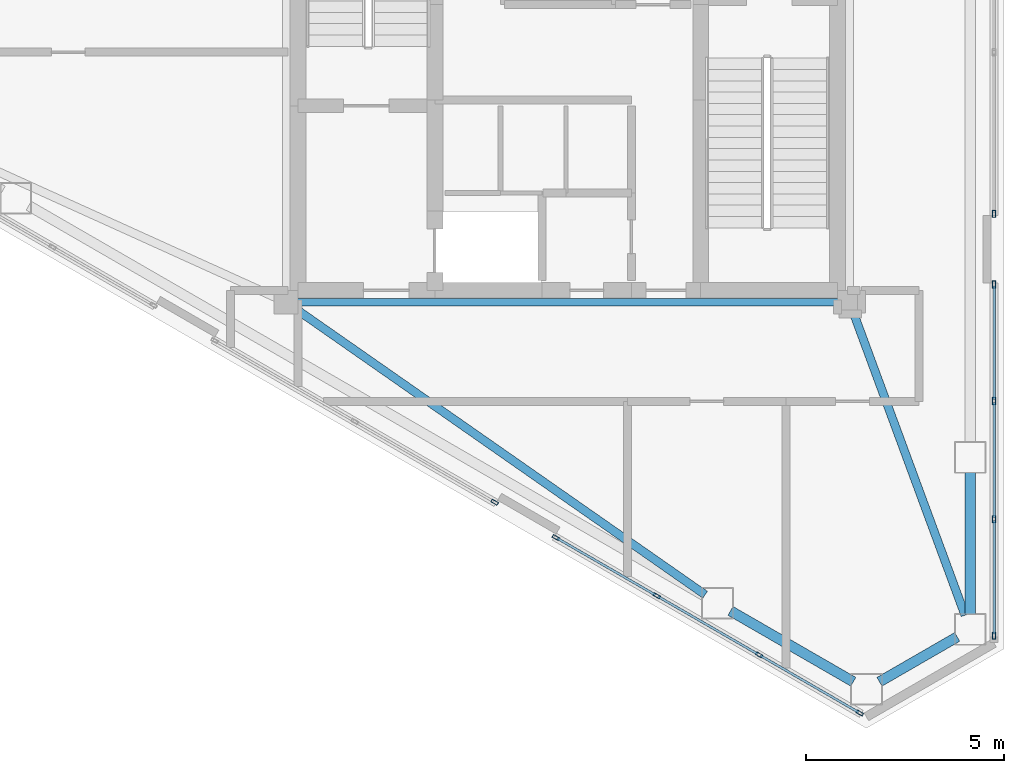
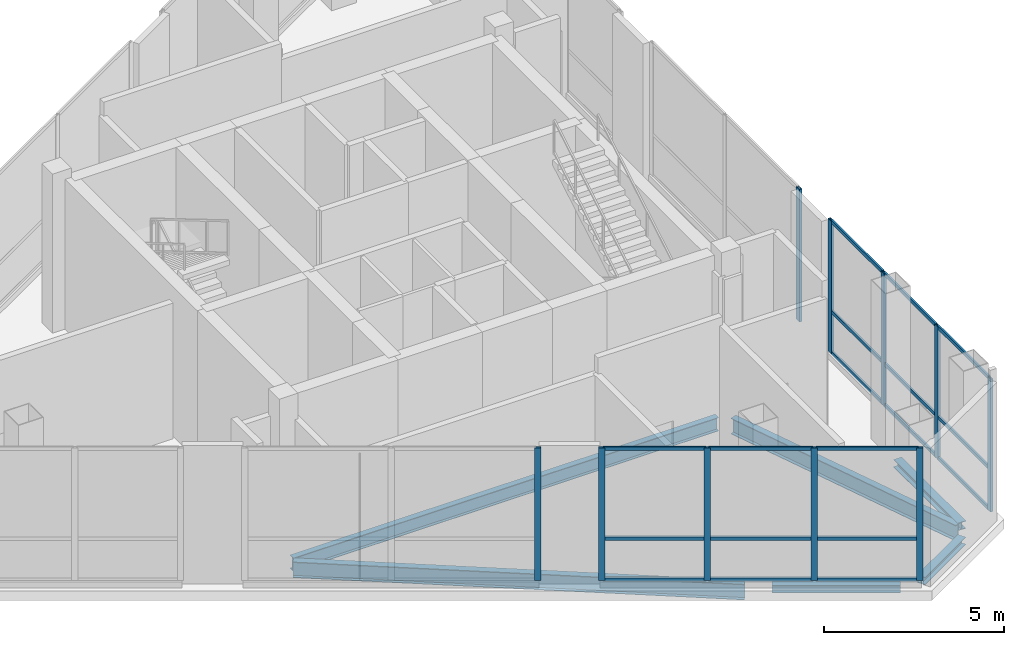
# One storey, part 4 of 13: 28 members, 6 beams, 4 elements without a shape of their own.
"""IFC4 building model written with IfcOpenShell, lengths in metres."""

from ifc_helpers import new_model, si_unit, direction, frame, origin, origin_2d, place, context, subcontext, project, spatial, hollow_rectangle, i_section, extrude, material, layer, layer_set, material_profile, profile_set, type_object, element, aggregate, save


model = new_model("IFC4")

# Units and contexts
model_context = context("Model", 3, precision=1e-05, world=origin(), true_north=direction((0.0, 1.0)))
body_context = subcontext(model_context, "Body", "Model", "MODEL_VIEW")
ifc_project = project(units=[si_unit("LENGTHUNIT", "METRE"), si_unit("AREAUNIT", "SQUARE_METRE"), si_unit("VOLUMEUNIT", "CUBIC_METRE"), si_unit("PLANEANGLEUNIT", "RADIAN"), si_unit("MASSUNIT", "GRAM", prefix="KILO")], contexts=[model_context])

# Site, building, storey
site_placement = place(None, origin())
site = spatial("IfcSite", under=ifc_project, at=site_placement, CompositionType="ELEMENT")
building_placement = place(site_placement, origin())
building = spatial("IfcBuilding", under=site, at=building_placement, Name="Mersakhor Tower and Convention Hall", CompositionType="ELEMENT")
storey_placement = place(building_placement, frame((0.0, 0.0, 258.60009765625)))
storey = spatial("IfcBuildingStorey", under=building, at=storey_placement, Name="L72", CompositionType="ELEMENT", Elevation=258.60009765625)

# Beams
ifc_material_1 = material(Name="Steel S355", Category="steel")
ifc_material_profile_1 = material_profile(ifc_material_1, i_section(OverallWidth=0.19140625, OverallDepth=0.4599609375, WebThickness=0.010009765625, FlangeThickness=0.01611328125, at=origin_2d()), Name="UB 457x191x82")
ifc_profile_set_1 = profile_set([ifc_material_profile_1], Name="Steel S355")
beam_type_1 = type_object("IfcBeamType", Name="BM-FB-457", PredefinedType="BEAM", material=ifc_profile_set_1)
beam_1_placement = place(storey_placement, frame((35.820068359375, 20.449951171875, -0.550048828125), z_axis=(-1.0, 0.0, 0.0), x_axis=(0.0, -1.0, 0.0)))
element("IfcBeam", 1, at=beam_1_placement, inside=storey, type_object=beam_type_1, Name="L72 Core Ring Tie Beam CRB-4", PredefinedType="BEAM", context=body_context, shape_type="SweptSolid", body=[
    extrude(i_section(OverallWidth=0.19140625, OverallDepth=0.4599609375, WebThickness=0.010009765625, FlangeThickness=0.01611328125, at=origin_2d()), origin(), (0.0, 0.0, 1.0), 13.64013671875),
])
ifc_material_2 = material(Name="Steel S355", Category="steel")
ifc_material_profile_2 = material_profile(ifc_material_2, i_section(OverallWidth=0.2099609375, OverallDepth=0.53662109375, WebThickness=0.0107421875, FlangeThickness=0.017333984375, at=origin_2d()), Name="UB 533x210x101")
ifc_profile_set_2 = profile_set([ifc_material_profile_2], Name="Steel S355")
beam_type_2 = type_object("IfcBeamType", Name="BM-FB-533", PredefinedType="BEAM", material=ifc_profile_set_2)
beam_2_placement = place(storey_placement, frame((36.197021484375, 20.187255859375, -0.58837890625), z_axis=(0.346207764595, -0.938157867171, 0.0), x_axis=(0.938157867171, 0.346207764595, 0.0)))
element("IfcBeam", 2, at=beam_2_placement, inside=storey, type_object=beam_type_2, Name="L72 Primary Floor Girder FG-4", PredefinedType="BEAM", context=body_context, shape_type="SweptSolid", body=[
    extrude(i_section(OverallWidth=0.2099609375, OverallDepth=0.53662109375, WebThickness=0.0107421875, FlangeThickness=0.017333984375, at=origin_2d()), origin(), (0.0, 0.0, 1.0), 8.128662109375),
])
beam_3_placement = place(storey_placement, frame((22.129638671875, 20.289794921875, -0.58837890625), z_axis=(0.819954136469, -0.572429221903, 0.0), x_axis=(0.572429221903, 0.819954136469, 0.0)))
element("IfcBeam", 3, at=beam_3_placement, inside=storey, type_object=beam_type_2, Name="L72 Primary Floor Girder FG-5", PredefinedType="BEAM", context=body_context, shape_type="SweptSolid", body=[
    extrude(i_section(OverallWidth=0.2099609375, OverallDepth=0.53662109375, WebThickness=0.0107421875, FlangeThickness=0.017333984375, at=origin_2d()), origin(), (0.0, 0.0, 1.0), 12.598388671875),
])
ifc_material_3 = material(Name="Steel S355", Category="steel")
ifc_material_profile_3 = material_profile(ifc_material_3, i_section(OverallWidth=0.25634765625, OverallDepth=0.26025390625, WebThickness=0.01025390625, FlangeThickness=0.017333984375, at=origin_2d()), Name="UC 254x254x89")
ifc_profile_set_3 = profile_set([ifc_material_profile_3], Name="Steel S355")
beam_type_3 = type_object("IfcBeamType", Name="BM-SPD-UC254", PredefinedType="SPANDREL", material=ifc_profile_set_3)
beam_4_placement = place(storey_placement, frame((39.142822265625, 16.1591796875, -0.4501953125), z_axis=(0.0, -1.0, 0.0), x_axis=(1.0, 0.0, 0.0)))
element("IfcBeam", 4, at=beam_4_placement, inside=storey, type_object=beam_type_3, Name="L72 Perimeter Spandrel Beam SPB-07", PredefinedType="SPANDREL", context=body_context, shape_type="SweptSolid", body=[
    extrude(i_section(OverallWidth=0.25634765625, OverallDepth=0.26025390625, WebThickness=0.01025390625, FlangeThickness=0.017333984375, at=origin_2d()), origin(), (0.0, 0.0, 1.0), 3.574462890625),
])
beam_5_placement = place(storey_placement, frame((38.813720703125, 12.0146484375, -0.4501953125), z_axis=(-0.866016678684, -0.500015112013, 0.0), x_axis=(0.500015112013, -0.866016678684, 0.0)))
element("IfcBeam", 5, at=beam_5_placement, inside=storey, type_object=beam_type_3, Name="L72 Perimeter Spandrel Beam SPB-08", PredefinedType="SPANDREL", context=body_context, shape_type="SweptSolid", body=[
    extrude(i_section(OverallWidth=0.25634765625, OverallDepth=0.26025390625, WebThickness=0.01025390625, FlangeThickness=0.017333984375, at=origin_2d()), origin(), (0.0, 0.0, 1.0), 2.2626953125),
])
beam_6_placement = place(storey_placement, frame((36.196044921875, 10.88330078125, -0.4501953125), z_axis=(-0.866002454009, 0.500039748071, 0.0), x_axis=(-0.500039748071, -0.866002454009, 0.0)))
element("IfcBeam", 6, at=beam_6_placement, inside=storey, type_object=beam_type_3, Name="L72 Perimeter Spandrel Beam SPB-09", PredefinedType="SPANDREL", context=body_context, shape_type="SweptSolid", body=[
    extrude(i_section(OverallWidth=0.25634765625, OverallDepth=0.26025390625, WebThickness=0.01025390625, FlangeThickness=0.017333984375, at=origin_2d()), origin(), (0.0, 0.0, 1.0), 3.574462890625),
])

# Curtain wall, member
ifc_material_4 = material(Name="Dark solar low-E aluminium curtain wall", Category="aluminium")
ifc_layer = layer(ifc_material_4, 0.2099609375)
ifc_layer_set = layer_set([ifc_layer], Name="Dark solar low-E aluminium curtain wall")
curtain_wall_type = type_object("IfcCurtainWallType", Name="CW-SYS-06", PredefinedType="USERDEFINED", material=ifc_layer_set)
curtain_wall_1_placement = place(storey_placement, origin())
curtain_wall_1 = element("IfcCurtainWall", 7, at=curtain_wall_1_placement, inside=storey, type_object=curtain_wall_type, Name="L72 Dark-Glass Curtain Wall F2-B2", ObjectType="CURTAIN WALL", PredefinedType="USERDEFINED")
ifc_material_5 = material(Name="Anodised aluminium EN AW-6063 T6", Category="aluminium")
ifc_material_profile_4 = material_profile(ifc_material_5, hollow_rectangle(XDim=0.080078125, YDim=0.179931640625, WallThickness=0.008056640625, at=origin_2d()), Name="RHS 180x80x8")
ifc_profile_set_4 = profile_set([ifc_material_profile_4], Name="Anodised aluminium EN AW-6063 T6")
member_type_1 = type_object("IfcMemberType", Name="CWM-180x80", PredefinedType="MULLION", material=ifc_profile_set_4)
member_1_placement = place(storey_placement, frame((39.742919921875, 22.676025390625, 0.199951171875), z_axis=(0.0, 0.0, 1.0), x_axis=(1.0, 0.0, 0.0)))
member_1 = element("IfcMember", 8, at=member_1_placement, type_object=member_type_1, Name="CW-06 mullion 3", PredefinedType="MULLION", context=body_context, shape_type="SweptSolid", body=[
    extrude(hollow_rectangle(XDim=0.080078125, YDim=0.179931640625, WallThickness=0.008056640625, at=origin_2d()), origin(), (0.0, 0.0, 1.0), 4.5),
])
aggregate(curtain_wall_1, [member_1])

# Curtain wall, members
curtain_wall_2_placement = place(storey_placement, origin())
curtain_wall_2 = element("IfcCurtainWall", 9, at=curtain_wall_2_placement, inside=storey, type_object=curtain_wall_type, Name="L72 Dark-Glass Curtain Wall F2-B3", ObjectType="CURTAIN WALL", PredefinedType="USERDEFINED")
member_2_placement = place(storey_placement, frame((39.742919921875, 20.89599609375, 0.199951171875), z_axis=(0.0, 0.0, 1.0), x_axis=(1.0, 0.0, 0.0)))
member_2 = element("IfcMember", 10, at=member_2_placement, type_object=member_type_1, Name="CW-06 mullion 1", PredefinedType="MULLION", context=body_context, shape_type="SweptSolid", body=[
    extrude(hollow_rectangle(XDim=0.080078125, YDim=0.179931640625, WallThickness=0.008056640625, at=origin_2d()), origin(), (0.0, 0.0, 1.0), 4.5),
])
member_3_placement = place(storey_placement, frame((39.742919921875, 17.960205078125, 0.199951171875), z_axis=(0.0, 0.0, 1.0), x_axis=(1.0, 0.0, 0.0)))
member_3 = element("IfcMember", 11, at=member_3_placement, type_object=member_type_1, Name="CW-06 mullion 2", PredefinedType="MULLION", context=body_context, shape_type="SweptSolid", body=[
    extrude(hollow_rectangle(XDim=0.080078125, YDim=0.179931640625, WallThickness=0.008056640625, at=origin_2d()), origin(), (0.0, 0.0, 1.0), 4.5),
])
member_4_placement = place(storey_placement, frame((39.742919921875, 14.984130859375, 0.199951171875), z_axis=(0.0, 0.0, 1.0), x_axis=(1.0, 0.0, 0.0)))
member_4 = element("IfcMember", 12, at=member_4_placement, type_object=member_type_1, Name="CW-06 mullion 3", PredefinedType="MULLION", context=body_context, shape_type="SweptSolid", body=[
    extrude(hollow_rectangle(XDim=0.080078125, YDim=0.179931640625, WallThickness=0.008056640625, at=origin_2d()), origin(), (0.0, 0.0, 1.0), 4.5),
])
member_5_placement = place(storey_placement, frame((39.742919921875, 12.048095703125, 0.199951171875), z_axis=(0.0, 0.0, 1.0), x_axis=(1.0, 0.0, 0.0)))
member_5 = element("IfcMember", 13, at=member_5_placement, type_object=member_type_1, Name="CW-06 mullion 4", PredefinedType="MULLION", context=body_context, shape_type="SweptSolid", body=[
    extrude(hollow_rectangle(XDim=0.080078125, YDim=0.179931640625, WallThickness=0.008056640625, at=origin_2d()), origin(), (0.0, 0.0, 1.0), 4.5),
])

curtain_wall_3_placement = place(storey_placement, origin())
curtain_wall_3 = element("IfcCurtainWall", 14, at=curtain_wall_3_placement, inside=storey, type_object=curtain_wall_type, Name="L72 Dark-Glass Curtain Wall F3-B1", ObjectType="CURTAIN WALL", PredefinedType="USERDEFINED")
member_6_placement = place(storey_placement, frame((36.360595703125, 10.095703125, 0.199951171875), z_axis=(0.0, 0.0, 1.0), x_axis=(-0.5000000776, -0.866025358982, 0.0)))
member_6 = element("IfcMember", 15, at=member_6_placement, type_object=member_type_1, Name="CW-06 mullion 1", PredefinedType="MULLION", context=body_context, shape_type="SweptSolid", body=[
    extrude(hollow_rectangle(XDim=0.080078125, YDim=0.179931640625, WallThickness=0.008056640625, at=origin_2d()), origin(), (0.0, 0.0, 1.0), 4.5),
])
member_7_placement = place(storey_placement, frame((33.818115234375, 11.5634765625, 0.199951171875), z_axis=(0.0, 0.0, 1.0), x_axis=(-0.5000000776, -0.866025358982, 0.0)))
member_7 = element("IfcMember", 16, at=member_7_placement, type_object=member_type_1, Name="CW-06 mullion 2", PredefinedType="MULLION", context=body_context, shape_type="SweptSolid", body=[
    extrude(hollow_rectangle(XDim=0.080078125, YDim=0.179931640625, WallThickness=0.008056640625, at=origin_2d()), origin(), (0.0, 0.0, 1.0), 4.5),
])
member_8_placement = place(storey_placement, frame((31.24072265625, 13.051513671875, 0.199951171875), z_axis=(0.0, 0.0, 1.0), x_axis=(-0.5000000776, -0.866025358982, 0.0)))
member_8 = element("IfcMember", 17, at=member_8_placement, type_object=member_type_1, Name="CW-06 mullion 3", PredefinedType="MULLION", context=body_context, shape_type="SweptSolid", body=[
    extrude(hollow_rectangle(XDim=0.080078125, YDim=0.179931640625, WallThickness=0.008056640625, at=origin_2d()), origin(), (0.0, 0.0, 1.0), 4.5),
])
member_9_placement = place(storey_placement, frame((28.6982421875, 14.51953125, 0.199951171875), z_axis=(0.0, 0.0, 1.0), x_axis=(-0.5000000776, -0.866025358982, 0.0)))
member_9 = element("IfcMember", 18, at=member_9_placement, type_object=member_type_1, Name="CW-06 mullion 4", PredefinedType="MULLION", context=body_context, shape_type="SweptSolid", body=[
    extrude(hollow_rectangle(XDim=0.080078125, YDim=0.179931640625, WallThickness=0.008056640625, at=origin_2d()), origin(), (0.0, 0.0, 1.0), 4.5),
])

# Curtain wall, member
curtain_wall_4_placement = place(storey_placement, origin())
curtain_wall_4 = element("IfcCurtainWall", 19, at=curtain_wall_4_placement, inside=storey, type_object=curtain_wall_type, Name="L72 Dark-Glass Curtain Wall F3-B2", ObjectType="CURTAIN WALL", PredefinedType="USERDEFINED")
member_10_placement = place(storey_placement, frame((27.15673828125, 15.409423828125, 0.199951171875), z_axis=(0.0, 0.0, 1.0), x_axis=(-0.500004411169, -0.86602285698, 0.0)))
member_10 = element("IfcMember", 20, at=member_10_placement, type_object=member_type_1, Name="CW-06 mullion 1", PredefinedType="MULLION", context=body_context, shape_type="SweptSolid", body=[
    extrude(hollow_rectangle(XDim=0.080078125, YDim=0.179931640625, WallThickness=0.008056640625, at=origin_2d()), origin(), (0.0, 0.0, 1.0), 4.5),
])
aggregate(curtain_wall_4, [member_10])

# Member
ifc_material_6 = material(Name="Anodised aluminium EN AW-6063 T6", Category="aluminium")
ifc_material_profile_5 = material_profile(ifc_material_6, hollow_rectangle(XDim=0.06005859375, YDim=0.1201171875, WallThickness=0.0048828125, at=origin_2d()), Name="RHS 120x60x5")
ifc_profile_set_5 = profile_set([ifc_material_profile_5], Name="Anodised aluminium EN AW-6063 T6")
member_type_2 = type_object("IfcMemberType", Name="CWT-120x60", PredefinedType="USERDEFINED", material=ifc_profile_set_5)
member_11_placement = place(storey_placement, frame((39.742919921875, 20.856201171875, 0.22998046875), z_axis=(0.0, -1.0, 0.0), x_axis=(1.0, 0.0, 0.0)))
member_11 = element("IfcMember", 21, at=member_11_placement, type_object=member_type_2, Name="CW-06 transom 1.1", ObjectType="TRANSOM", PredefinedType="USERDEFINED", context=body_context, shape_type="SweptSolid", body=[
    extrude(hollow_rectangle(XDim=0.06005859375, YDim=0.1201171875, WallThickness=0.0048828125, at=origin_2d()), origin(), (0.0, 0.0, 1.0), 2.85595703125),
])

member_12_placement = place(storey_placement, frame((39.742919921875, 20.856201171875, 1.619873046875), z_axis=(0.0, -1.0, 0.0), x_axis=(1.0, 0.0, 0.0)))
member_12 = element("IfcMember", 22, at=member_12_placement, type_object=member_type_2, Name="CW-06 transom 1.2", ObjectType="TRANSOM", PredefinedType="USERDEFINED", context=body_context, shape_type="SweptSolid", body=[
    extrude(hollow_rectangle(XDim=0.06005859375, YDim=0.1201171875, WallThickness=0.0048828125, at=origin_2d()), origin(), (0.0, 0.0, 1.0), 2.85595703125),
])

member_13_placement = place(storey_placement, frame((39.742919921875, 20.856201171875, 4.669921875), z_axis=(0.0, -1.0, 0.0), x_axis=(1.0, 0.0, 0.0)))
member_13 = element("IfcMember", 23, at=member_13_placement, type_object=member_type_2, Name="CW-06 transom 1.3", ObjectType="TRANSOM", PredefinedType="USERDEFINED", context=body_context, shape_type="SweptSolid", body=[
    extrude(hollow_rectangle(XDim=0.06005859375, YDim=0.1201171875, WallThickness=0.0048828125, at=origin_2d()), origin(), (0.0, 0.0, 1.0), 2.85595703125),
])

member_14_placement = place(storey_placement, frame((39.742919921875, 17.920166015625, 0.22998046875), z_axis=(0.0, -1.0, 0.0), x_axis=(1.0, 0.0, 0.0)))
member_14 = element("IfcMember", 24, at=member_14_placement, type_object=member_type_2, Name="CW-06 transom 2.1", ObjectType="TRANSOM", PredefinedType="USERDEFINED", context=body_context, shape_type="SweptSolid", body=[
    extrude(hollow_rectangle(XDim=0.06005859375, YDim=0.1201171875, WallThickness=0.0048828125, at=origin_2d()), origin(), (0.0, 0.0, 1.0), 2.89599609375),
])

member_15_placement = place(storey_placement, frame((39.742919921875, 17.920166015625, 1.619873046875), z_axis=(0.0, -1.0, 0.0), x_axis=(1.0, 0.0, 0.0)))
member_15 = element("IfcMember", 25, at=member_15_placement, type_object=member_type_2, Name="CW-06 transom 2.2", ObjectType="TRANSOM", PredefinedType="USERDEFINED", context=body_context, shape_type="SweptSolid", body=[
    extrude(hollow_rectangle(XDim=0.06005859375, YDim=0.1201171875, WallThickness=0.0048828125, at=origin_2d()), origin(), (0.0, 0.0, 1.0), 2.89599609375),
])

member_16_placement = place(storey_placement, frame((39.742919921875, 17.920166015625, 4.669921875), z_axis=(0.0, -1.0, 0.0), x_axis=(1.0, 0.0, 0.0)))
member_16 = element("IfcMember", 26, at=member_16_placement, type_object=member_type_2, Name="CW-06 transom 2.3", ObjectType="TRANSOM", PredefinedType="USERDEFINED", context=body_context, shape_type="SweptSolid", body=[
    extrude(hollow_rectangle(XDim=0.06005859375, YDim=0.1201171875, WallThickness=0.0048828125, at=origin_2d()), origin(), (0.0, 0.0, 1.0), 2.89599609375),
])

member_17_placement = place(storey_placement, frame((39.742919921875, 14.944091796875, 0.22998046875), z_axis=(0.0, -1.0, 0.0), x_axis=(1.0, 0.0, 0.0)))
member_17 = element("IfcMember", 27, at=member_17_placement, type_object=member_type_2, Name="CW-06 transom 3.1", ObjectType="TRANSOM", PredefinedType="USERDEFINED", context=body_context, shape_type="SweptSolid", body=[
    extrude(hollow_rectangle(XDim=0.06005859375, YDim=0.1201171875, WallThickness=0.0048828125, at=origin_2d()), origin(), (0.0, 0.0, 1.0), 2.85595703125),
])

member_18_placement = place(storey_placement, frame((39.742919921875, 14.944091796875, 1.619873046875), z_axis=(0.0, -1.0, 0.0), x_axis=(1.0, 0.0, 0.0)))
member_18 = element("IfcMember", 28, at=member_18_placement, type_object=member_type_2, Name="CW-06 transom 3.2", ObjectType="TRANSOM", PredefinedType="USERDEFINED", context=body_context, shape_type="SweptSolid", body=[
    extrude(hollow_rectangle(XDim=0.06005859375, YDim=0.1201171875, WallThickness=0.0048828125, at=origin_2d()), origin(), (0.0, 0.0, 1.0), 2.85595703125),
])

member_19_placement = place(storey_placement, frame((39.742919921875, 14.944091796875, 4.669921875), z_axis=(0.0, -1.0, 0.0), x_axis=(1.0, 0.0, 0.0)))
member_19 = element("IfcMember", 29, at=member_19_placement, type_object=member_type_2, Name="CW-06 transom 3.3", ObjectType="TRANSOM", PredefinedType="USERDEFINED", context=body_context, shape_type="SweptSolid", body=[
    extrude(hollow_rectangle(XDim=0.06005859375, YDim=0.1201171875, WallThickness=0.0048828125, at=origin_2d()), origin(), (0.0, 0.0, 1.0), 2.85595703125),
])

aggregate(curtain_wall_2, [member_2, member_3, member_4, member_5, member_11, member_12, member_13, member_14, member_15, member_16, member_17, member_18, member_19])

member_20_placement = place(storey_placement, frame((36.325927734375, 10.115478515625, 0.22998046875), z_axis=(-0.866009049739, 0.500028324968, 0.0), x_axis=(-0.500028324968, -0.866009049739, 0.0)))
member_20 = element("IfcMember", 30, at=member_20_placement, type_object=member_type_2, Name="CW-06 transom 1.1", ObjectType="TRANSOM", PredefinedType="USERDEFINED", context=body_context, shape_type="SweptSolid", body=[
    extrude(hollow_rectangle(XDim=0.06005859375, YDim=0.1201171875, WallThickness=0.0048828125, at=origin_2d()), origin(), (0.0, 0.0, 1.0), 2.855712890625),
])

member_21_placement = place(storey_placement, frame((36.325927734375, 10.115478515625, 1.619873046875), z_axis=(-0.866009049739, 0.500028324968, 0.0), x_axis=(-0.500028324968, -0.866009049739, 0.0)))
member_21 = element("IfcMember", 31, at=member_21_placement, type_object=member_type_2, Name="CW-06 transom 1.2", ObjectType="TRANSOM", PredefinedType="USERDEFINED", context=body_context, shape_type="SweptSolid", body=[
    extrude(hollow_rectangle(XDim=0.06005859375, YDim=0.1201171875, WallThickness=0.0048828125, at=origin_2d()), origin(), (0.0, 0.0, 1.0), 2.855712890625),
])

member_22_placement = place(storey_placement, frame((36.325927734375, 10.115478515625, 4.669921875), z_axis=(-0.866009049739, 0.500028324968, 0.0), x_axis=(-0.500028324968, -0.866009049739, 0.0)))
member_22 = element("IfcMember", 32, at=member_22_placement, type_object=member_type_2, Name="CW-06 transom 1.3", ObjectType="TRANSOM", PredefinedType="USERDEFINED", context=body_context, shape_type="SweptSolid", body=[
    extrude(hollow_rectangle(XDim=0.06005859375, YDim=0.1201171875, WallThickness=0.0048828125, at=origin_2d()), origin(), (0.0, 0.0, 1.0), 2.855712890625),
])

member_23_placement = place(storey_placement, frame((33.783447265625, 11.58349609375, 0.22998046875), z_axis=(-0.866029759197, 0.499992456128, 0.0), x_axis=(-0.499992456128, -0.866029759197, 0.0)))
member_23 = element("IfcMember", 33, at=member_23_placement, type_object=member_type_2, Name="CW-06 transom 2.1", ObjectType="TRANSOM", PredefinedType="USERDEFINED", context=body_context, shape_type="SweptSolid", body=[
    extrude(hollow_rectangle(XDim=0.06005859375, YDim=0.1201171875, WallThickness=0.0048828125, at=origin_2d()), origin(), (0.0, 0.0, 1.0), 2.89599609375),
])

member_24_placement = place(storey_placement, frame((33.783447265625, 11.58349609375, 1.619873046875), z_axis=(-0.866029759197, 0.499992456128, 0.0), x_axis=(-0.499992456128, -0.866029759197, 0.0)))
member_24 = element("IfcMember", 34, at=member_24_placement, type_object=member_type_2, Name="CW-06 transom 2.2", ObjectType="TRANSOM", PredefinedType="USERDEFINED", context=body_context, shape_type="SweptSolid", body=[
    extrude(hollow_rectangle(XDim=0.06005859375, YDim=0.1201171875, WallThickness=0.0048828125, at=origin_2d()), origin(), (0.0, 0.0, 1.0), 2.89599609375),
])

member_25_placement = place(storey_placement, frame((33.783447265625, 11.58349609375, 4.669921875), z_axis=(-0.866029759197, 0.499992456128, 0.0), x_axis=(-0.499992456128, -0.866029759197, 0.0)))
member_25 = element("IfcMember", 35, at=member_25_placement, type_object=member_type_2, Name="CW-06 transom 2.3", ObjectType="TRANSOM", PredefinedType="USERDEFINED", context=body_context, shape_type="SweptSolid", body=[
    extrude(hollow_rectangle(XDim=0.06005859375, YDim=0.1201171875, WallThickness=0.0048828125, at=origin_2d()), origin(), (0.0, 0.0, 1.0), 2.89599609375),
])

member_26_placement = place(storey_placement, frame((31.206298828125, 13.071533203125, 0.22998046875), z_axis=(-0.866030422172, 0.499991307796, 0.0), x_axis=(-0.499991307796, -0.866030422172, 0.0)))
member_26 = element("IfcMember", 36, at=member_26_placement, type_object=member_type_2, Name="CW-06 transom 3.1", ObjectType="TRANSOM", PredefinedType="USERDEFINED", context=body_context, shape_type="SweptSolid", body=[
    extrude(hollow_rectangle(XDim=0.06005859375, YDim=0.1201171875, WallThickness=0.0048828125, at=origin_2d()), origin(), (0.0, 0.0, 1.0), 2.85595703125),
])

member_27_placement = place(storey_placement, frame((31.206298828125, 13.071533203125, 1.619873046875), z_axis=(-0.866030422172, 0.499991307796, 0.0), x_axis=(-0.499991307796, -0.866030422172, 0.0)))
member_27 = element("IfcMember", 37, at=member_27_placement, type_object=member_type_2, Name="CW-06 transom 3.2", ObjectType="TRANSOM", PredefinedType="USERDEFINED", context=body_context, shape_type="SweptSolid", body=[
    extrude(hollow_rectangle(XDim=0.06005859375, YDim=0.1201171875, WallThickness=0.0048828125, at=origin_2d()), origin(), (0.0, 0.0, 1.0), 2.85595703125),
])

member_28_placement = place(storey_placement, frame((31.206298828125, 13.071533203125, 4.669921875), z_axis=(-0.866030422172, 0.499991307796, 0.0), x_axis=(-0.499991307796, -0.866030422172, 0.0)))
member_28 = element("IfcMember", 38, at=member_28_placement, type_object=member_type_2, Name="CW-06 transom 3.3", ObjectType="TRANSOM", PredefinedType="USERDEFINED", context=body_context, shape_type="SweptSolid", body=[
    extrude(hollow_rectangle(XDim=0.06005859375, YDim=0.1201171875, WallThickness=0.0048828125, at=origin_2d()), origin(), (0.0, 0.0, 1.0), 2.85595703125),
])

aggregate(curtain_wall_3, [member_6, member_7, member_8, member_9, member_20, member_21, member_22, member_23, member_24, member_25, member_26, member_27, member_28])

save(model, "model.ifc")
